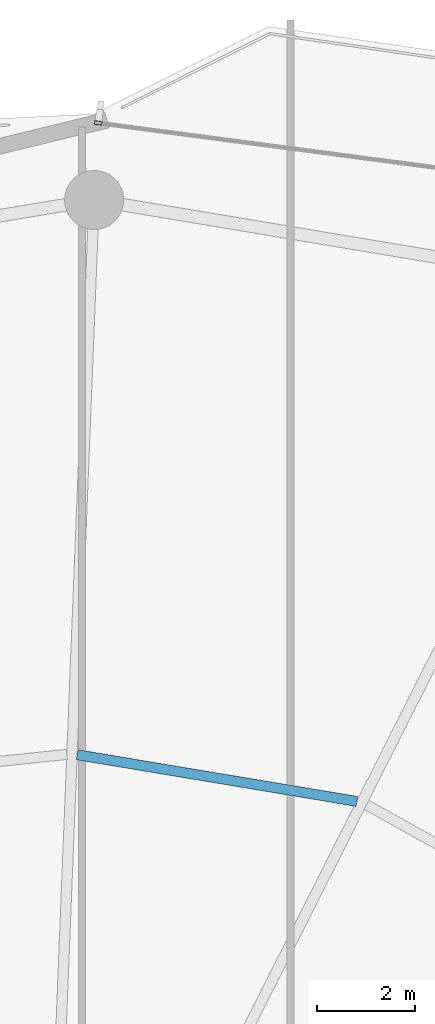
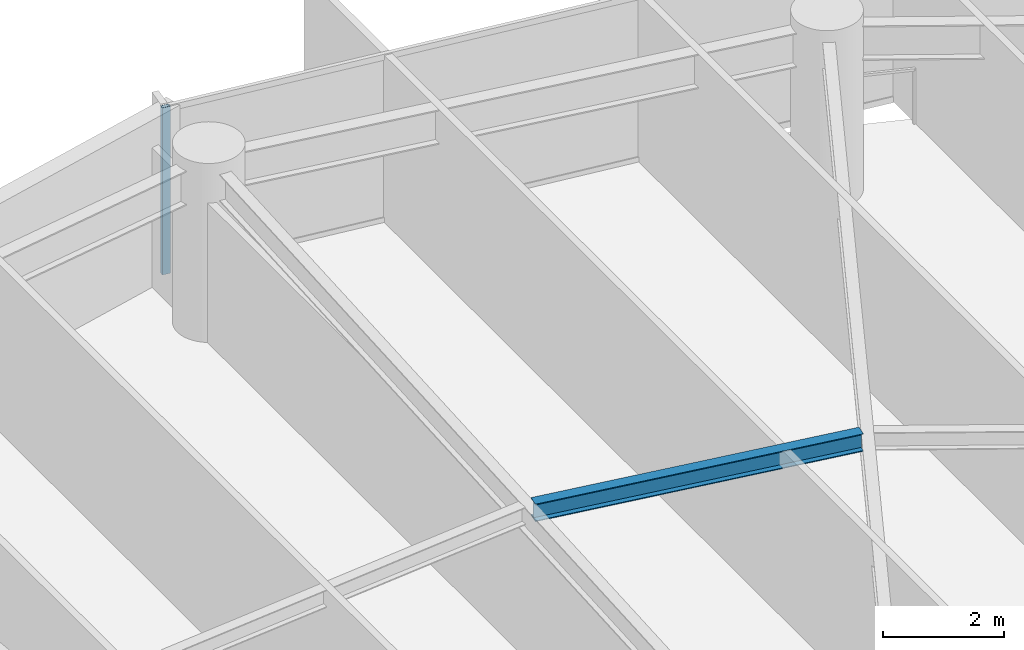
# One storey, part 20 of 31: 1 beam, 1 member, 1 element without a shape of its own.
"""IFC4 building model written with IfcOpenShell, lengths in metres."""

from ifc_helpers import new_model, si_unit, direction, frame, origin, origin_2d, place, context, subcontext, project, spatial, hollow_rectangle, i_section, extrude, material, layer, layer_set, material_profile, profile_set, type_object, element, aggregate, save


model = new_model("IFC4")

# Units and contexts
model_context = context("Model", 3, precision=1e-05, world=origin(), true_north=direction((0.0, 1.0)))
body_context = subcontext(model_context, "Body", "Model", "MODEL_VIEW")
ifc_project = project(units=[si_unit("LENGTHUNIT", "METRE"), si_unit("AREAUNIT", "SQUARE_METRE"), si_unit("VOLUMEUNIT", "CUBIC_METRE"), si_unit("PLANEANGLEUNIT", "RADIAN"), si_unit("MASSUNIT", "GRAM", prefix="KILO")], contexts=[model_context])

# Site, building, storey
site_placement = place(None, origin())
site = spatial("IfcSite", under=ifc_project, at=site_placement, CompositionType="ELEMENT")
building_placement = place(site_placement, origin())
building = spatial("IfcBuilding", under=site, at=building_placement, Name="Kazevale Care Tower and Concert Hall", CompositionType="ELEMENT")
storey_placement = place(building_placement, frame((0.0, 0.0, 117.0)))
storey = spatial("IfcBuildingStorey", under=building, at=storey_placement, Name="L30", CompositionType="ELEMENT", Elevation=117.0)

# Curtain wall, member
ifc_material_1 = material(Name="Aluminium 6063-T6 and Low-E Glass", Category="aluminium")
ifc_layer = layer(ifc_material_1, 0.179931640625)
ifc_layer_set = layer_set([ifc_layer], Name="Aluminium 6063-T6 and Low-E Glass")
curtain_wall_type = type_object("IfcCurtainWallType", Name="Convex Recessed Sunroom Curtain Wall CW-3", PredefinedType="NOTDEFINED", material=ifc_layer_set)
curtain_wall_placement = place(storey_placement, origin())
curtain_wall = element("IfcCurtainWall", 1, at=curtain_wall_placement, inside=storey, type_object=curtain_wall_type, Name="cw:L30:f16", PredefinedType="NOTDEFINED")
ifc_material_2 = material(Name="Aluminium 6063-T6", Category="aluminium")
ifc_material_profile_1 = material_profile(ifc_material_2, hollow_rectangle(XDim=0.074951171875, YDim=0.14990234375, WallThickness=0.00390625, at=origin_2d()), Name="ALU75x150x4")
ifc_profile_set_1 = profile_set([ifc_material_profile_1], Name="Aluminium 6063-T6")
member_type = type_object("IfcMemberType", Name="CW-3 Mullion ALU75x150x4", PredefinedType="MULLION", material=ifc_profile_set_1)
member_placement = place(storey_placement, frame((45.084228515625, 63.01708984375, 0.0), z_axis=(0.0, 0.0, 1.0), x_axis=(0.130822374277, 0.991405823257, 0.0)))
member = element("IfcMember", 2, at=member_placement, type_object=member_type, Name="CW-3 mullion 1", PredefinedType="MULLION", context=body_context, shape_type="SweptSolid", body=[
    extrude(hollow_rectangle(XDim=0.074951171875, YDim=0.14990234375, WallThickness=0.00390625, at=origin_2d()), origin(), (0.0, 0.0, 1.0), 3.360107421875),
])
aggregate(curtain_wall, [member])

# Beam
ifc_material_3 = material(Name="Steel ASTM A572 Gr 50", Category="steel")
ifc_material_profile_2 = material_profile(ifc_material_3, i_section(OverallWidth=0.205078125, OverallDepth=0.35400390625, WebThickness=0.009521484375, FlangeThickness=0.016845703125, at=origin_2d()), Name="W360x79")
ifc_profile_set_2 = profile_set([ifc_material_profile_2], Name="Steel ASTM A572 Gr 50")
beam_type = type_object("IfcBeamType", Name="Secondary Floor Joist W360x79", PredefinedType="JOIST", material=ifc_profile_set_2)
beam_placement = place(storey_placement, frame((50.347900390625, 49.2099609375, 3.18310546875), z_axis=(-0.986366476547, 0.164563586324, 0.0), x_axis=(-0.164563586324, -0.986366476547, 0.0)))
element("IfcBeam", 3, at=beam_placement, inside=storey, type_object=beam_type, Name="beam:L30:joist:04", PredefinedType="JOIST", context=body_context, shape_type="SweptSolid", body=[
    extrude(i_section(OverallWidth=0.205078125, OverallDepth=0.35400390625, WebThickness=0.009521484375, FlangeThickness=0.016845703125, at=origin_2d()), origin(), (0.0, 0.0, 1.0), 5.7724609375),
])

save(model, "model.ifc")
